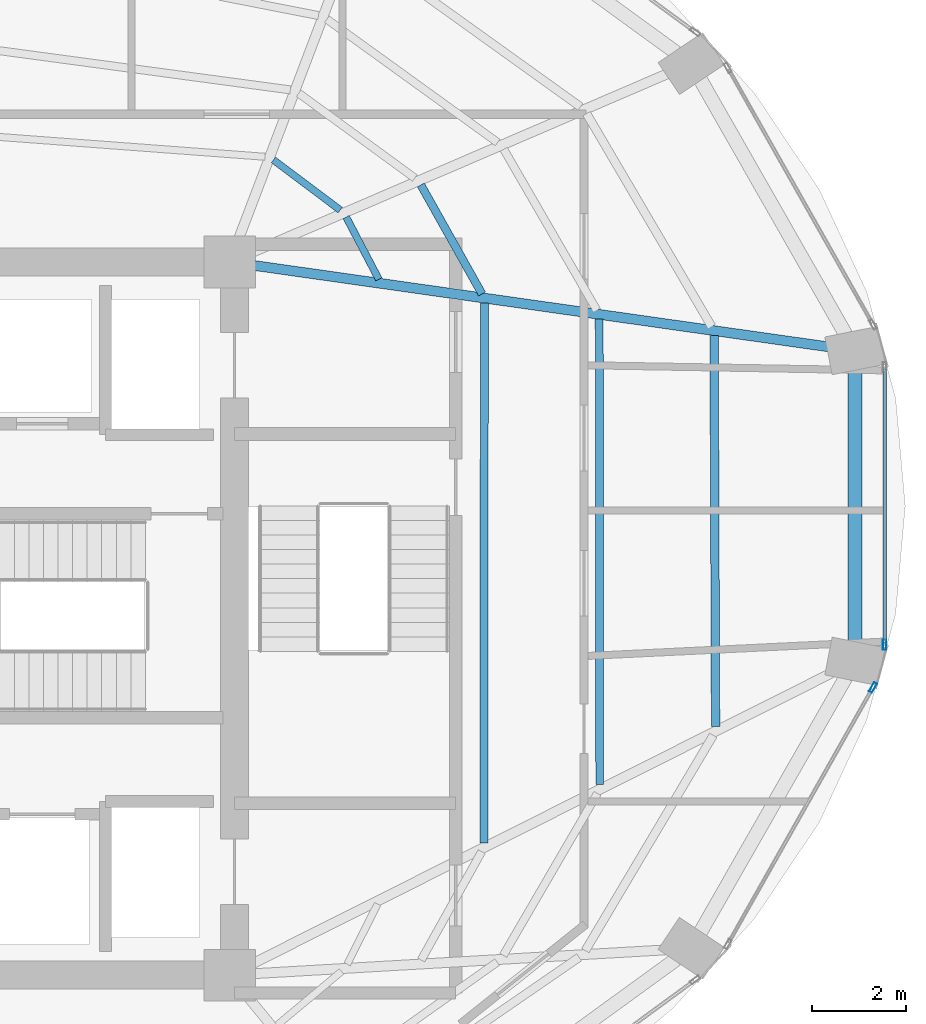
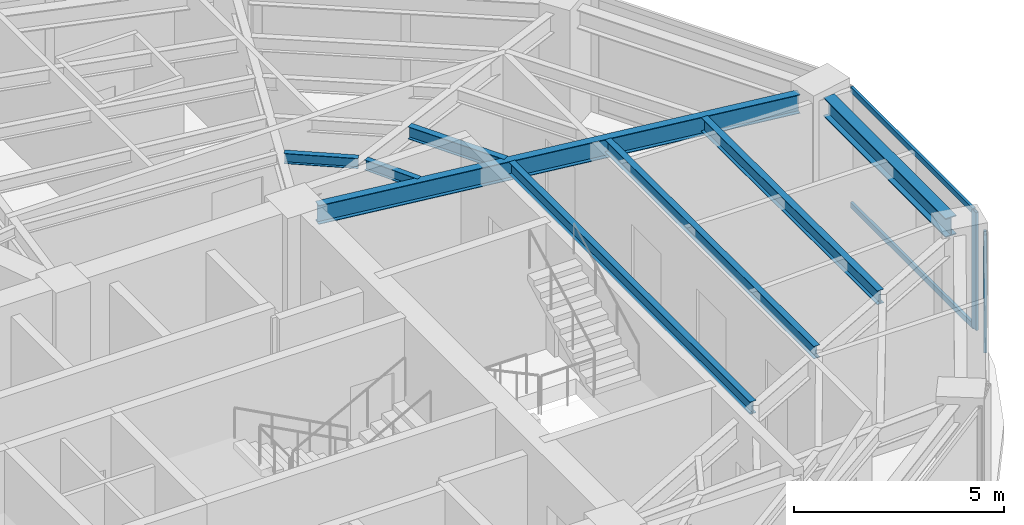
# One storey, part 10 of 20: 8 beams, 4 members, 2 elements without a shape of their own.
"""IFC4 building model written with IfcOpenShell, lengths in metres."""

from ifc_helpers import new_model, si_unit, direction, frame, origin, origin_2d, place, context, subcontext, project, spatial, hollow_rectangle, i_section, extrude, material, layer, layer_set, material_profile, profile_set, type_object, element, aggregate, save


model = new_model("IFC4")

# Units and contexts
model_context = context("Model", 3, precision=1e-05, world=origin(), true_north=direction((0.0, 1.0)))
body_context = subcontext(model_context, "Body", "Model", "MODEL_VIEW")
ifc_project = project(units=[si_unit("LENGTHUNIT", "METRE"), si_unit("AREAUNIT", "SQUARE_METRE"), si_unit("VOLUMEUNIT", "CUBIC_METRE"), si_unit("PLANEANGLEUNIT", "RADIAN"), si_unit("MASSUNIT", "GRAM", prefix="KILO")], contexts=[model_context])

# Site, building, storey
site_placement = place(None, origin())
site = spatial("IfcSite", under=ifc_project, at=site_placement, CompositionType="ELEMENT")
building_placement = place(site_placement, origin())
building = spatial("IfcBuilding", under=site, at=building_placement, Name="Lazwardi Medical Tower", CompositionType="ELEMENT")
storey_placement = place(building_placement, frame((0.0, 0.0, 138.2880859375)))
storey = spatial("IfcBuildingStorey", under=building, at=storey_placement, Name="L35", CompositionType="ELEMENT", Elevation=138.2880859375)

# Beams
ifc_material_1 = material(Name="Steel S355", Category="steel")
ifc_material_profile_1 = material_profile(ifc_material_1, i_section(OverallWidth=0.300048828125, OverallDepth=0.550048828125, WebThickness=0.014892578125, FlangeThickness=0.029052734375, at=origin_2d()), Name="HEB 550")
ifc_profile_set_1 = profile_set([ifc_material_profile_1], Name="Steel S355")
beam_type_1 = type_object("IfcBeamType", Name="BM-RB-Z3", PredefinedType="BEAM", material=ifc_profile_set_1)
beam_1_placement = place(storey_placement, frame((58.92578125, 27.48828125, 3.15283203125), z_axis=(0.0, 1.0, 0.0), x_axis=(-1.0, 0.0, 0.0)))
element("IfcBeam", 1, at=beam_1_placement, inside=storey, type_object=beam_type_1, Name="Ring beam RB-04 B04 L35", PredefinedType="BEAM", context=body_context, shape_type="SweptSolid", body=[
    extrude(i_section(OverallWidth=0.300048828125, OverallDepth=0.550048828125, WebThickness=0.014892578125, FlangeThickness=0.029052734375, at=origin_2d()), origin(), (0.0, 0.0, 1.0), 5.823486328125),
])
ifc_material_profile_2 = material_profile(ifc_material_1, i_section(OverallWidth=0.2099609375, OverallDepth=0.550048828125, WebThickness=0.010986328125, FlangeThickness=0.01708984375, at=origin_2d()), Name="IPE 550")
ifc_profile_set_2 = profile_set([ifc_material_profile_2], Name="Steel S355")
beam_type_2 = type_object("IfcBeamType", Name="BM-RG-W2", PredefinedType="BEAM", material=ifc_profile_set_2)
beam_2_placement = place(storey_placement, frame((58.371337890625, 33.790283203125, 3.15283203125), z_axis=(-0.99010958763, 0.140296131389, 0.0), x_axis=(-0.140296131389, -0.99010958763, 0.0)))
element("IfcBeam", 2, at=beam_2_placement, inside=storey, type_object=beam_type_2, Name="Radial girder RG-03 R05 L35", PredefinedType="BEAM", context=body_context, shape_type="SweptSolid", body=[
    extrude(i_section(OverallWidth=0.2099609375, OverallDepth=0.550048828125, WebThickness=0.010986328125, FlangeThickness=0.01708984375, at=origin_2d()), origin(), (0.0, 0.0, 1.0), 12.364013671875),
])
ifc_material_profile_3 = material_profile(ifc_material_1, i_section(OverallWidth=0.179931640625, OverallDepth=0.39990234375, WebThickness=0.008544921875, FlangeThickness=0.013427734375, at=origin_2d()), Name="IPE 400")
ifc_profile_set_3 = profile_set([ifc_material_profile_3], Name="Steel S355")
beam_type_3 = type_object("IfcBeamType", Name="BM-SJ-01", PredefinedType="JOIST", material=ifc_profile_set_3)
beam_3_placement = place(storey_placement, frame((55.95556640625, 25.69775390625, 3.22802734375), z_axis=(-0.003864366017, 0.99999253331, 0.0), x_axis=(-0.99999253331, -0.003864366017, 0.0)))
element("IfcBeam", 3, at=beam_3_placement, inside=storey, type_object=beam_type_3, Name="Secondary joist SJ-01 R1 B04 L35", PredefinedType="JOIST", context=body_context, shape_type="SweptSolid", body=[
    extrude(i_section(OverallWidth=0.179931640625, OverallDepth=0.39990234375, WebThickness=0.008544921875, FlangeThickness=0.013427734375, at=origin_2d()), origin(), (0.0, 0.0, 1.0), 8.33935546875),
])
ifc_material_profile_4 = material_profile(ifc_material_1, i_section(OverallWidth=0.169921875, OverallDepth=0.360107421875, WebThickness=0.008056640625, FlangeThickness=0.0126953125, at=origin_2d()), Name="IPE 360")
ifc_profile_set_4 = profile_set([ifc_material_profile_4], Name="Steel S355")
beam_type_4 = type_object("IfcBeamType", Name="BM-SJ-02", PredefinedType="JOIST", material=ifc_profile_set_4)
beam_4_placement = place(storey_placement, frame((53.486328125, 24.458251953125, 3.247802734375), z_axis=(-0.001156040156, 0.999999331785, 0.0), x_axis=(-0.999999331785, -0.001156040156, 0.0)))
element("IfcBeam", 4, at=beam_4_placement, inside=storey, type_object=beam_type_4, Name="Secondary joist SJ-02 R2 B04 L35", PredefinedType="JOIST", context=body_context, shape_type="SweptSolid", body=[
    extrude(i_section(OverallWidth=0.169921875, OverallDepth=0.360107421875, WebThickness=0.008056640625, FlangeThickness=0.0126953125, at=origin_2d()), origin(), (0.0, 0.0, 1.0), 9.92578125),
])
beam_5_placement = place(storey_placement, frame((51.01708984375, 23.21875, 3.247802734375), z_axis=(0.000805852776, 0.999999675301, 0.0), x_axis=(-0.999999675301, 0.000805852776, 0.0)))
element("IfcBeam", 5, at=beam_5_placement, inside=storey, type_object=beam_type_4, Name="Secondary joist SJ-02 R3 B04 L35", PredefinedType="JOIST", context=body_context, shape_type="SweptSolid", body=[
    extrude(i_section(OverallWidth=0.169921875, OverallDepth=0.360107421875, WebThickness=0.008056640625, FlangeThickness=0.0126953125, at=origin_2d()), origin(), (0.0, 0.0, 1.0), 11.512451171875),
])
beam_6_placement = place(storey_placement, frame((50.977294921875, 34.918212890625, 3.247802734375), z_axis=(-0.489408945026, 0.872054404569, 0.0), x_axis=(-0.872054404569, -0.489408945026, 0.0)))
element("IfcBeam", 6, at=beam_6_placement, inside=storey, type_object=beam_type_4, Name="Secondary joist SJ-02 R3 B05 L35", PredefinedType="JOIST", context=body_context, shape_type="SweptSolid", body=[
    extrude(i_section(OverallWidth=0.169921875, OverallDepth=0.360107421875, WebThickness=0.008056640625, FlangeThickness=0.0126953125, at=origin_2d()), origin(), (0.0, 0.0, 1.0), 2.666259765625),
])
ifc_material_profile_5 = material_profile(ifc_material_1, i_section(OverallWidth=0.14990234375, OverallDepth=0.300048828125, WebThickness=0.007080078125, FlangeThickness=0.0107421875, at=origin_2d()), Name="IPE 300")
ifc_profile_set_5 = profile_set([ifc_material_profile_5], Name="Steel S355")
beam_type_5 = type_object("IfcBeamType", Name="BM-SJ-03", PredefinedType="JOIST", material=ifc_profile_set_5)
beam_7_placement = place(storey_placement, frame((48.7763671875, 35.231689453125, 3.27783203125), z_axis=(-0.464469748171, 0.885588986513, 0.0), x_axis=(-0.885588986513, -0.464469748171, 0.0)))
element("IfcBeam", 7, at=beam_7_placement, inside=storey, type_object=beam_type_5, Name="Secondary joist SJ-03 R4 B05 L35", PredefinedType="JOIST", context=body_context, shape_type="SweptSolid", body=[
    extrude(i_section(OverallWidth=0.14990234375, OverallDepth=0.300048828125, WebThickness=0.007080078125, FlangeThickness=0.0107421875, at=origin_2d()), origin(), (0.0, 0.0, 1.0), 1.498046875),
])
beam_8_placement = place(storey_placement, frame((47.9541015625, 36.70703125, 3.27783203125), z_axis=(-0.799884834751, 0.600153522972, 0.0), x_axis=(-0.600153522972, -0.799884834751, 0.0)))
element("IfcBeam", 8, at=beam_8_placement, inside=storey, type_object=beam_type_5, Name="Secondary joist SJ-03 R4 B06 L35", PredefinedType="JOIST", context=body_context, shape_type="SweptSolid", body=[
    extrude(i_section(OverallWidth=0.14990234375, OverallDepth=0.300048828125, WebThickness=0.007080078125, FlangeThickness=0.0107421875, at=origin_2d()), origin(), (0.0, 0.0, 1.0), 1.781005859375),
])

# Curtain wall, member
ifc_material_2 = material(Name="Anodised bronze aluminium and solar control glazing", Category="aluminium")
ifc_layer = layer(ifc_material_2, 0.195068359375)
ifc_layer_set = layer_set([ifc_layer], Name="Anodised bronze aluminium and solar control glazing")
curtain_wall_type = type_object("IfcCurtainWallType", Name="CW-SYS-03", PredefinedType="NOTDEFINED", material=ifc_layer_set)
curtain_wall_1_placement = place(storey_placement, origin())
curtain_wall_1 = element("IfcCurtainWall", 9, at=curtain_wall_1_placement, inside=storey, type_object=curtain_wall_type, Name="L35 Unitised bronze curtain wall CW-03", PredefinedType="NOTDEFINED")
ifc_material_3 = material(Name="Anodised bronze aluminium", Category="aluminium")
ifc_material_profile_6 = material_profile(ifc_material_3, hollow_rectangle(XDim=0.074951171875, YDim=0.219970703125, WallThickness=0.00390625, at=origin_2d()), Name="ALU-MULLION 220x75x4")
ifc_profile_set_6 = profile_set([ifc_material_profile_6], Name="Anodised bronze aluminium")
member_type_1 = type_object("IfcMemberType", Name="CW-MUL-01", PredefinedType="MULLION", material=ifc_profile_set_6)
member_1_placement = place(storey_placement, frame((59.31103515625, 26.53271484375, 0.0), z_axis=(0.0, 0.0, 1.0), x_axis=(-0.870418989303, 0.492311672683, 0.0)))
member_1 = element("IfcMember", 10, at=member_1_placement, type_object=member_type_1, Name="CW-03 mullion 2", PredefinedType="MULLION", context=body_context, shape_type="SweptSolid", body=[
    extrude(hollow_rectangle(XDim=0.074951171875, YDim=0.219970703125, WallThickness=0.00390625, at=origin_2d()), origin(), (0.0, 0.0, 1.0), 3.427978515625),
])
aggregate(curtain_wall_1, [member_1])

# Curtain wall, members
curtain_wall_2_placement = place(storey_placement, origin())
curtain_wall_2 = element("IfcCurtainWall", 11, at=curtain_wall_2_placement, inside=storey, type_object=curtain_wall_type, Name="L35 Unitised bronze curtain wall CW-03", PredefinedType="NOTDEFINED")
member_2_placement = place(storey_placement, frame((59.5576171875, 27.442138671875, 0.0), z_axis=(0.0, 0.0, 1.0), x_axis=(-1.0, 0.0, 0.0)))
member_2 = element("IfcMember", 12, at=member_2_placement, type_object=member_type_1, Name="CW-03 mullion 1", PredefinedType="MULLION", context=body_context, shape_type="SweptSolid", body=[
    extrude(hollow_rectangle(XDim=0.074951171875, YDim=0.219970703125, WallThickness=0.00390625, at=origin_2d()), origin(), (0.0, 0.0, 1.0), 3.427978515625),
])
ifc_material_profile_7 = material_profile(ifc_material_3, hollow_rectangle(XDim=0.074951171875, YDim=0.159912109375, WallThickness=0.00390625, at=origin_2d()), Name="ALU-TRANSOM 160x75x4")
ifc_profile_set_7 = profile_set([ifc_material_profile_7], Name="Anodised bronze aluminium")
member_type_2 = type_object("IfcMemberType", Name="CW-TRN-01", PredefinedType="USERDEFINED", material=ifc_profile_set_7)
member_3_placement = place(storey_placement, frame((59.5576171875, 27.4794921875, 0.037353515625), z_axis=(0.0, 1.0, 0.0), x_axis=(-1.0, 0.0, 0.0)))
member_3 = element("IfcMember", 13, at=member_3_placement, type_object=member_type_2, Name="CW-03 transom 1.1", ObjectType="TRANSOM", PredefinedType="USERDEFINED", context=body_context, shape_type="SweptSolid", body=[
    extrude(hollow_rectangle(XDim=0.074951171875, YDim=0.159912109375, WallThickness=0.00390625, at=origin_2d()), origin(), (0.0, 0.0, 1.0), 5.8408203125),
])
member_4_placement = place(storey_placement, frame((59.5576171875, 27.4794921875, 3.390380859375), z_axis=(0.0, 1.0, 0.0), x_axis=(-1.0, 0.0, 0.0)))
member_4 = element("IfcMember", 14, at=member_4_placement, type_object=member_type_2, Name="CW-03 transom 1.2", ObjectType="TRANSOM", PredefinedType="USERDEFINED", context=body_context, shape_type="SweptSolid", body=[
    extrude(hollow_rectangle(XDim=0.074951171875, YDim=0.159912109375, WallThickness=0.00390625, at=origin_2d()), origin(), (0.0, 0.0, 1.0), 5.8408203125),
])
aggregate(curtain_wall_2, [member_2, member_3, member_4])

save(model, "model.ifc")
